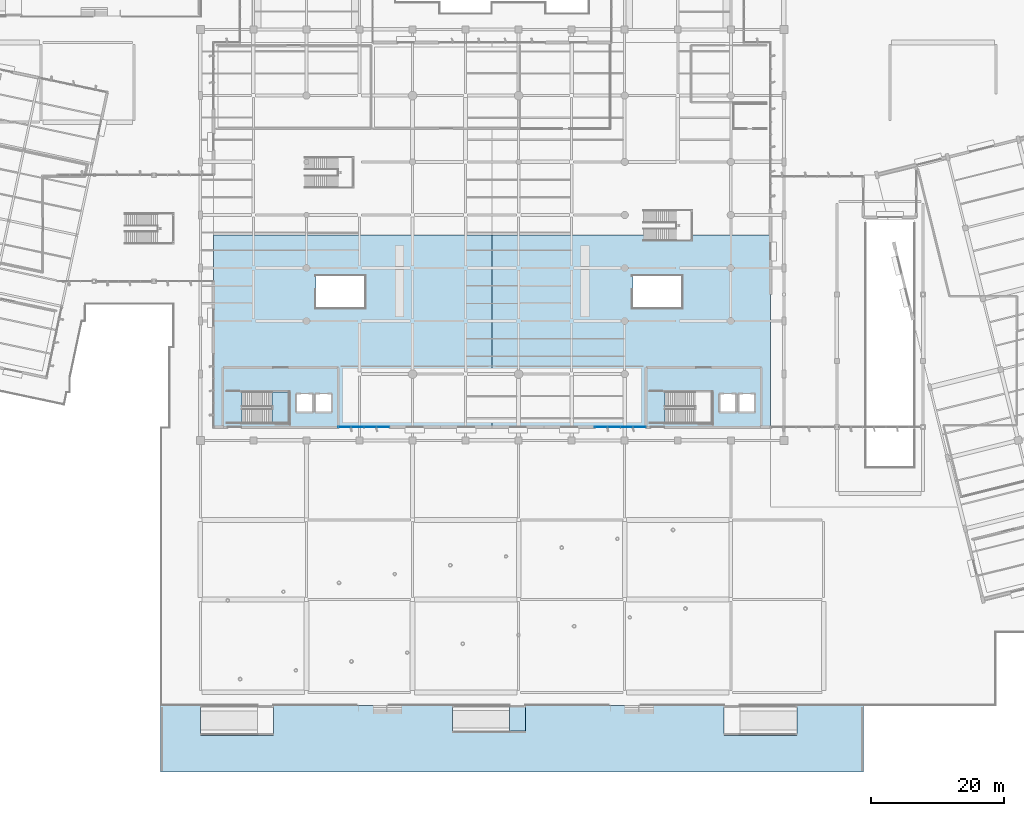
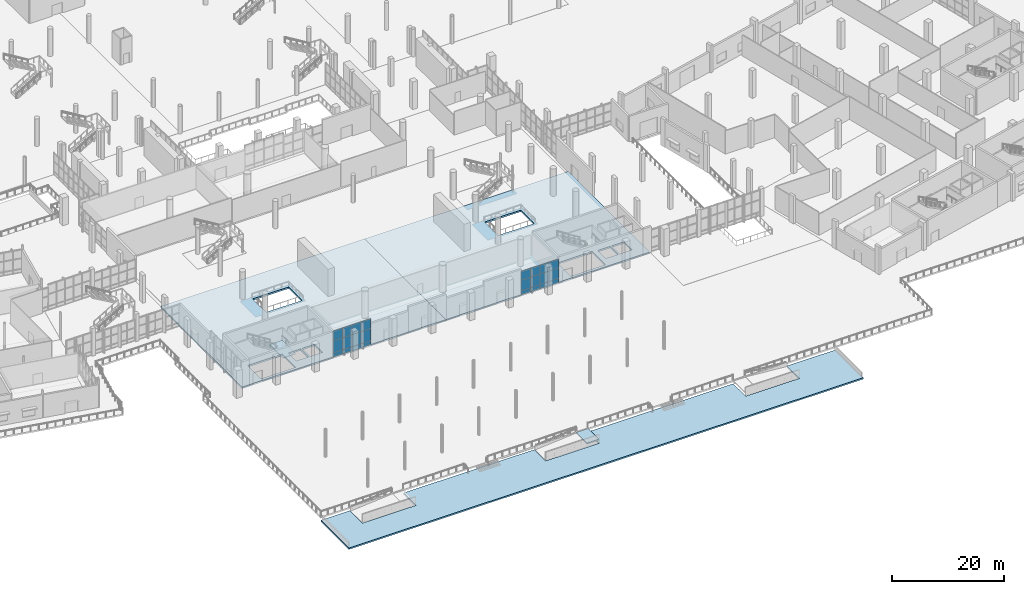
# One storey, part 110 of 163: 24 plates, 5 slabs, 4 elements without a shape of their own.
"""IFC4 building model written with IfcOpenShell, lengths in metres."""

from ifc_helpers import new_model, si_unit, direction, frame, origin, origin_2d, place, context, subcontext, project, spatial, polyline, rectangle, outline, extrude, material, layer, layer_set, type_object, element, aggregate, save


model = new_model("IFC4")

# Units and contexts
model_context = context("Model", 3, precision=1e-05, world=origin(), true_north=direction((0.0, 1.0)))
body_context = subcontext(model_context, "Body", "Model", "MODEL_VIEW")
ifc_project = project(units=[si_unit("LENGTHUNIT", "METRE"), si_unit("AREAUNIT", "SQUARE_METRE"), si_unit("VOLUMEUNIT", "CUBIC_METRE"), si_unit("PLANEANGLEUNIT", "RADIAN"), si_unit("MASSUNIT", "GRAM", prefix="KILO")], contexts=[model_context])

# Site, building, storey
site_placement = place(None, origin())
site = spatial("IfcSite", under=ifc_project, at=site_placement, CompositionType="ELEMENT")
building_placement = place(site_placement, origin())
building = spatial("IfcBuilding", under=site, at=building_placement, Name="Khorjan Park Terminus", CompositionType="ELEMENT")
storey_placement = place(building_placement, origin())
storey = spatial("IfcBuildingStorey", under=building, at=storey_placement, Name="L00", CompositionType="ELEMENT", Elevation=0.0)

# Curtain wall, plates
ifc_material_1 = material(Name="Anodized Bronze Aluminium", Category="aluminium")
ifc_layer_1 = layer(ifc_material_1, 0.22)
ifc_layer_set_1 = layer_set([ifc_layer_1], Name="Anodized Bronze Aluminium")
curtain_wall_type = type_object("IfcCurtainWallType", Name="CW-CONC-A", PredefinedType="NOTDEFINED", material=ifc_layer_set_1)
curtain_wall_1_placement = place(storey_placement, origin())
curtain_wall_1 = element("IfcCurtainWall", 1, at=curtain_wall_1_placement, inside=storey, type_object=curtain_wall_type, Name="Unitized curtain wall CW-A (CW-V2-S-L00-02)", PredefinedType="NOTDEFINED")
ifc_material_2 = material(Name="Triple Low-E High-Selectivity Glazing", Category="glass")
ifc_layer_2 = layer(ifc_material_2, 0.04)
ifc_layer_set_2 = layer_set([ifc_layer_2], Name="Triple Low-E High-Selectivity Glazing")
plate_type_1 = type_object("IfcPlateType", Name="GL-VIS-40", PredefinedType="CURTAIN_PANEL", material=ifc_layer_set_2)
plate_1_placement = place(storey_placement, frame((69.7625, 28.0, 0.85), z_axis=(0.0, 0.0, 1.0), x_axis=(1.0, 0.0, 0.0)))
plate_1 = element("IfcPlate", 2, at=plate_1_placement, type_object=plate_type_1, Name="Curtain-wall panel VP-40 (CW-V2-S-L00-02-0-2)", PredefinedType="CURTAIN_PANEL", context=body_context, shape_type="SweptSolid", body=[
    extrude(rectangle(XDim=1.925, YDim=0.04, at=origin_2d()), origin(), (0.0, 0.0, 1.0), 2.6344),
])
plate_2_placement = place(storey_placement, frame((69.7625, 28.0, 3.4844), z_axis=(0.0, 0.0, 1.0), x_axis=(1.0, 0.0, 0.0)))
plate_2 = element("IfcPlate", 3, at=plate_2_placement, type_object=plate_type_1, Name="Curtain-wall panel VP-40 (CW-V2-S-L00-02-0-3)", PredefinedType="CURTAIN_PANEL", context=body_context, shape_type="SweptSolid", body=[
    extrude(rectangle(XDim=1.925, YDim=0.04, at=origin_2d()), origin(), (0.0, 0.0, 1.0), 2.1456),
])
plate_3_placement = place(storey_placement, frame((71.6875, 28.0, 0.85), z_axis=(0.0, 0.0, 1.0), x_axis=(1.0, 0.0, 0.0)))
plate_3 = element("IfcPlate", 4, at=plate_3_placement, type_object=plate_type_1, Name="Curtain-wall panel VP-40 (CW-V2-S-L00-02-1-2)", PredefinedType="CURTAIN_PANEL", context=body_context, shape_type="SweptSolid", body=[
    extrude(rectangle(XDim=1.925, YDim=0.04, at=origin_2d()), origin(), (0.0, 0.0, 1.0), 2.6344),
])
plate_4_placement = place(storey_placement, frame((71.6875, 28.0, 3.4844), z_axis=(0.0, 0.0, 1.0), x_axis=(1.0, 0.0, 0.0)))
plate_4 = element("IfcPlate", 5, at=plate_4_placement, type_object=plate_type_1, Name="Curtain-wall panel VP-40 (CW-V2-S-L00-02-1-3)", PredefinedType="CURTAIN_PANEL", context=body_context, shape_type="SweptSolid", body=[
    extrude(rectangle(XDim=1.925, YDim=0.04, at=origin_2d()), origin(), (0.0, 0.0, 1.0), 2.1456),
])
plate_5_placement = place(storey_placement, frame((73.6125, 28.0, 0.85), z_axis=(0.0, 0.0, 1.0), x_axis=(1.0, 0.0, 0.0)))
plate_5 = element("IfcPlate", 6, at=plate_5_placement, type_object=plate_type_1, Name="Curtain-wall panel VP-40 (CW-V2-S-L00-02-2-2)", PredefinedType="CURTAIN_PANEL", context=body_context, shape_type="SweptSolid", body=[
    extrude(rectangle(XDim=1.925, YDim=0.04, at=origin_2d()), origin(), (0.0, 0.0, 1.0), 2.6344),
])
plate_6_placement = place(storey_placement, frame((73.6125, 28.0, 3.4844), z_axis=(0.0, 0.0, 1.0), x_axis=(1.0, 0.0, 0.0)))
plate_6 = element("IfcPlate", 7, at=plate_6_placement, type_object=plate_type_1, Name="Curtain-wall panel VP-40 (CW-V2-S-L00-02-2-3)", PredefinedType="CURTAIN_PANEL", context=body_context, shape_type="SweptSolid", body=[
    extrude(rectangle(XDim=1.925, YDim=0.04, at=origin_2d()), origin(), (0.0, 0.0, 1.0), 2.1456),
])
plate_7_placement = place(storey_placement, frame((75.5375, 28.0, 0.85), z_axis=(0.0, 0.0, 1.0), x_axis=(1.0, 0.0, 0.0)))
plate_7 = element("IfcPlate", 8, at=plate_7_placement, type_object=plate_type_1, Name="Curtain-wall panel VP-40 (CW-V2-S-L00-02-3-2)", PredefinedType="CURTAIN_PANEL", context=body_context, shape_type="SweptSolid", body=[
    extrude(rectangle(XDim=1.925, YDim=0.04, at=origin_2d()), origin(), (0.0, 0.0, 1.0), 2.6344),
])
plate_8_placement = place(storey_placement, frame((75.5375, 28.0, 3.4844), z_axis=(0.0, 0.0, 1.0), x_axis=(1.0, 0.0, 0.0)))
plate_8 = element("IfcPlate", 9, at=plate_8_placement, type_object=plate_type_1, Name="Curtain-wall panel VP-40 (CW-V2-S-L00-02-3-3)", PredefinedType="CURTAIN_PANEL", context=body_context, shape_type="SweptSolid", body=[
    extrude(rectangle(XDim=1.925, YDim=0.04, at=origin_2d()), origin(), (0.0, 0.0, 1.0), 2.1456),
])

curtain_wall_2_placement = place(storey_placement, origin())
curtain_wall_2 = element("IfcCurtainWall", 10, at=curtain_wall_2_placement, inside=storey, type_object=curtain_wall_type, Name="Unitized curtain wall CW-A (CW-V2-S-L00-07)", PredefinedType="NOTDEFINED")
plate_9_placement = place(storey_placement, frame((108.4625, 28.0, 0.85), z_axis=(0.0, 0.0, 1.0), x_axis=(1.0, 0.0, 0.0)))
plate_9 = element("IfcPlate", 11, at=plate_9_placement, type_object=plate_type_1, Name="Curtain-wall panel VP-40 (CW-V2-S-L00-07-0-2)", PredefinedType="CURTAIN_PANEL", context=body_context, shape_type="SweptSolid", body=[
    extrude(rectangle(XDim=1.925, YDim=0.04, at=origin_2d()), origin(), (0.0, 0.0, 1.0), 2.2903),
])
plate_10_placement = place(storey_placement, frame((108.4625, 28.0, 3.1402), z_axis=(0.0, 0.0, 1.0), x_axis=(1.0, 0.0, 0.0)))
plate_10 = element("IfcPlate", 12, at=plate_10_placement, type_object=plate_type_1, Name="Curtain-wall panel VP-40 (CW-V2-S-L00-07-0-3)", PredefinedType="CURTAIN_PANEL", context=body_context, shape_type="SweptSolid", body=[
    extrude(rectangle(XDim=1.925, YDim=0.04, at=origin_2d()), origin(), (0.0, 0.0, 1.0), 1.9347),
])
plate_11_placement = place(storey_placement, frame((110.3875, 28.0, 0.85), z_axis=(0.0, 0.0, 1.0), x_axis=(1.0, 0.0, 0.0)))
plate_11 = element("IfcPlate", 13, at=plate_11_placement, type_object=plate_type_1, Name="Curtain-wall panel VP-40 (CW-V2-S-L00-07-1-2)", PredefinedType="CURTAIN_PANEL", context=body_context, shape_type="SweptSolid", body=[
    extrude(rectangle(XDim=1.925, YDim=0.04, at=origin_2d()), origin(), (0.0, 0.0, 1.0), 2.2903),
])
plate_12_placement = place(storey_placement, frame((110.3875, 28.0, 3.1402), z_axis=(0.0, 0.0, 1.0), x_axis=(1.0, 0.0, 0.0)))
plate_12 = element("IfcPlate", 14, at=plate_12_placement, type_object=plate_type_1, Name="Curtain-wall panel VP-40 (CW-V2-S-L00-07-1-3)", PredefinedType="CURTAIN_PANEL", context=body_context, shape_type="SweptSolid", body=[
    extrude(rectangle(XDim=1.925, YDim=0.04, at=origin_2d()), origin(), (0.0, 0.0, 1.0), 1.9347),
])
plate_13_placement = place(storey_placement, frame((112.3125, 28.0, 0.85), z_axis=(0.0, 0.0, 1.0), x_axis=(1.0, 0.0, 0.0)))
plate_13 = element("IfcPlate", 15, at=plate_13_placement, type_object=plate_type_1, Name="Curtain-wall panel VP-40 (CW-V2-S-L00-07-2-2)", PredefinedType="CURTAIN_PANEL", context=body_context, shape_type="SweptSolid", body=[
    extrude(rectangle(XDim=1.925, YDim=0.04, at=origin_2d()), origin(), (0.0, 0.0, 1.0), 2.2903),
])
plate_14_placement = place(storey_placement, frame((112.3125, 28.0, 3.1402), z_axis=(0.0, 0.0, 1.0), x_axis=(1.0, 0.0, 0.0)))
plate_14 = element("IfcPlate", 16, at=plate_14_placement, type_object=plate_type_1, Name="Curtain-wall panel VP-40 (CW-V2-S-L00-07-2-3)", PredefinedType="CURTAIN_PANEL", context=body_context, shape_type="SweptSolid", body=[
    extrude(rectangle(XDim=1.925, YDim=0.04, at=origin_2d()), origin(), (0.0, 0.0, 1.0), 1.9347),
])
plate_15_placement = place(storey_placement, frame((114.2375, 28.0, 0.85), z_axis=(0.0, 0.0, 1.0), x_axis=(1.0, 0.0, 0.0)))
plate_15 = element("IfcPlate", 17, at=plate_15_placement, type_object=plate_type_1, Name="Curtain-wall panel VP-40 (CW-V2-S-L00-07-3-2)", PredefinedType="CURTAIN_PANEL", context=body_context, shape_type="SweptSolid", body=[
    extrude(rectangle(XDim=1.925, YDim=0.04, at=origin_2d()), origin(), (0.0, 0.0, 1.0), 2.2903),
])
plate_16_placement = place(storey_placement, frame((114.2375, 28.0, 3.1402), z_axis=(0.0, 0.0, 1.0), x_axis=(1.0, 0.0, 0.0)))
plate_16 = element("IfcPlate", 18, at=plate_16_placement, type_object=plate_type_1, Name="Curtain-wall panel VP-40 (CW-V2-S-L00-07-3-3)", PredefinedType="CURTAIN_PANEL", context=body_context, shape_type="SweptSolid", body=[
    extrude(rectangle(XDim=1.925, YDim=0.04, at=origin_2d()), origin(), (0.0, 0.0, 1.0), 1.9347),
])

# Slabs
ifc_material_3 = material(Name="Concrete C40/50", Category="concrete")
ifc_layer_3 = layer(ifc_material_3, 0.35)
ifc_layer_set_3 = layer_set([ifc_layer_3], Name="Concrete C40/50")
slab_type_1 = type_object("IfcSlabType", Name="SL-FLR-350", PredefinedType="FLOOR", material=ifc_layer_set_3)
slab_1_placement = place(storey_placement, frame((0.0, 0.0, -0.35)))
element("IfcSlab", 19, at=slab_1_placement, inside=storey, type_object=slab_type_1, Name="Structural floor slab FS-35 (L00-V2-SE)", PredefinedType="FLOOR", context=body_context, shape_type="SweptSolid", body=[
    extrude(outline(polyline([(92.0, 57.0), (134.0, 57.0), (134.0, 28.0), (92.0, 28.0), (92.0, 57.0)]), holes=[polyline([(125.2, 28.55), (125.2, 33.31), (118.075, 33.31), (118.075, 28.55), (125.2, 28.55)]), polyline([(128.79, 30.21), (128.79, 33.05), (126.25, 33.05), (126.25, 30.21), (128.79, 30.21)]), polyline([(131.65, 30.21), (131.65, 33.05), (129.11, 33.05), (129.11, 30.21), (131.65, 30.21)]), polyline([(120.6, 50.8), (113.215, 50.8), (113.215, 46.0), (120.6, 46.0), (120.6, 50.8)])]), origin(), (0.0, 0.0, 1.0), 0.35),
])
ifc_layer_4 = layer(ifc_material_3, 0.36)
ifc_layer_set_4 = layer_set([ifc_layer_4], Name="Concrete C40/50")
slab_type_2 = type_object("IfcSlabType", Name="SL-FLR-360", PredefinedType="FLOOR", material=ifc_layer_set_4)
slab_2_placement = place(storey_placement, frame((0.0, 0.0, -0.36)))
element("IfcSlab", 20, at=slab_2_placement, inside=storey, type_object=slab_type_2, Name="Structural floor slab FS-36 (L00-V2-SW)", PredefinedType="FLOOR", context=body_context, shape_type="SweptSolid", body=[
    extrude(outline(polyline([(50.0, 57.0), (92.0, 57.0), (92.0, 28.0), (50.0, 28.0), (50.0, 57.0)]), holes=[polyline([(61.4, 28.55), (61.4, 33.31), (54.275, 33.31), (54.275, 28.55), (61.4, 28.55)]), polyline([(64.99, 30.21), (64.99, 33.05), (62.45, 33.05), (62.45, 30.21), (64.99, 30.21)]), polyline([(67.85, 30.21), (67.85, 33.05), (65.31, 33.05), (65.31, 30.21), (67.85, 30.21)]), polyline([(72.8, 50.8), (65.415, 50.8), (65.415, 46.0), (72.8, 46.0), (72.8, 50.8)])]), origin(), (0.0, 0.0, 1.0), 0.36),
])

# Stair, slab
stair_type = type_object("IfcStairType", Name="STR-CORE-220", PredefinedType="HALF_TURN_STAIR", material=ifc_material_3)
stair_placement = place(storey_placement, origin())
stair = element("IfcStair", 21, at=stair_placement, inside=storey, type_object=stair_type, Name="L00 West Concourse Core exit stair ST-01", PredefinedType="HALF_TURN_STAIR")
ifc_layer_5 = layer(ifc_material_3, 0.2)
ifc_layer_set_5 = layer_set([ifc_layer_5], Name="Concrete C40/50")
slab_type_3 = type_object("IfcSlabType", Name="SL-LND-200", PredefinedType="LANDING", material=ifc_layer_set_5)
slab_3_placement = place(storey_placement, frame((0.0, 0.0, 2.8)))
slab_3 = element("IfcSlab", 22, at=slab_3_placement, type_object=slab_type_3, Name="ST-01 landing 1", PredefinedType="LANDING", context=body_context, shape_type="SweptSolid", body=[
    extrude(outline(polyline([(58.805, 28.55), (61.4, 28.55), (61.4, 33.31), (58.805, 33.31), (58.805, 28.55)])), origin(), (0.0, 0.0, 1.0), 0.2),
])
aggregate(stair, [slab_3])

# Ramp, slab
ramp_type = type_object("IfcRampType", Name="RMP-ACC-360", PredefinedType="STRAIGHT_RUN_RAMP", material=ifc_material_3)
ramp_placement = place(storey_placement, origin())
ramp = element("IfcRamp", 23, at=ramp_placement, inside=storey, type_object=ramp_type, Name="Accessible 1:12 site-grade approach ramp AR-02", PredefinedType="STRAIGHT_RUN_RAMP")
ifc_layer_6 = layer(ifc_material_3, 0.29)
ifc_layer_set_6 = layer_set([ifc_layer_6], Name="Concrete C40/50")
slab_type_4 = type_object("IfcSlabType", Name="SL-LND-290", PredefinedType="LANDING", material=ifc_layer_set_6)
slab_4_placement = place(storey_placement, frame((0.0, 0.0, -0.29)))
slab_4 = element("IfcSlab", 24, at=slab_4_placement, type_object=slab_type_4, Name="Accessible ramp top arrival landing (GRMP-S-M)", PredefinedType="LANDING", context=body_context, shape_type="SweptSolid", body=[
    extrude(outline(polyline([(94.625, -17.84), (97.04, -17.84), (97.04, -13.98), (94.625, -13.98), (94.625, -17.84)])), origin(), (0.0, 0.0, 1.0), 0.29),
])
aggregate(ramp, [slab_4])

# Slab
ifc_layer_7 = layer(ifc_material_3, 0.32)
ifc_layer_set_7 = layer_set([ifc_layer_7], Name="Concrete C40/50")
slab_type_5 = type_object("IfcSlabType", Name="SL-TER-320", PredefinedType="ROOF", material=ifc_layer_set_7)
slab_5_placement = place(storey_placement, frame((0.0, 0.0, -1.04)))
element("IfcSlab", 25, at=slab_5_placement, inside=storey, type_object=slab_type_5, Name="External terrace slab TS-32 (GRD-APR-SOUTH)", PredefinedType="ROOF", context=body_context, shape_type="SweptSolid", body=[
    extrude(outline(polyline([(148.0, -14.02), (148.0, -24.0), (42.0, -24.0), (42.0, -14.02), (48.0, -14.02), (48.0, -18.48), (59.06, -18.48), (59.06, -14.02), (86.0, -14.02), (86.0, -18.08), (97.06, -18.08), (97.06, -14.02), (126.94, -14.02), (126.94, -18.48), (138.0, -18.48), (138.0, -14.02), (148.0, -14.02)])), origin(), (0.0, 0.0, 1.0), 0.32),
])

# Plate
ifc_material_4 = material(Name="Insulated Anodized Bronze Spandrel Panel")
ifc_layer_8 = layer(ifc_material_4, 0.045)
ifc_layer_set_8 = layer_set([ifc_layer_8], Name="Insulated Anodized Bronze Spandrel Panel")
plate_type_2 = type_object("IfcPlateType", Name="SP-AL-45", PredefinedType="CURTAIN_PANEL", material=ifc_layer_set_8)
plate_17_placement = place(storey_placement, frame((69.7625, 28.0, -0.01), z_axis=(0.0, 0.0, 1.0), x_axis=(1.0, 0.0, 0.0)))
plate_17 = element("IfcPlate", 26, at=plate_17_placement, type_object=plate_type_2, Name="Curtain-wall panel SP-A45 (CW-V2-S-L00-02-0-1)", PredefinedType="CURTAIN_PANEL", context=body_context, shape_type="SweptSolid", body=[
    extrude(rectangle(XDim=1.925, YDim=0.045, at=origin_2d()), origin(), (0.0, 0.0, 1.0), 0.86),
])

plate_18_placement = place(storey_placement, frame((71.6875, 28.0, -0.01), z_axis=(0.0, 0.0, 1.0), x_axis=(1.0, 0.0, 0.0)))
plate_18 = element("IfcPlate", 27, at=plate_18_placement, type_object=plate_type_2, Name="Curtain-wall panel SP-A45 (CW-V2-S-L00-02-1-1)", PredefinedType="CURTAIN_PANEL", context=body_context, shape_type="SweptSolid", body=[
    extrude(rectangle(XDim=1.925, YDim=0.045, at=origin_2d()), origin(), (0.0, 0.0, 1.0), 0.86),
])

plate_19_placement = place(storey_placement, frame((73.6125, 28.0, -0.01), z_axis=(0.0, 0.0, 1.0), x_axis=(1.0, 0.0, 0.0)))
plate_19 = element("IfcPlate", 28, at=plate_19_placement, type_object=plate_type_2, Name="Curtain-wall panel SP-A45 (CW-V2-S-L00-02-2-1)", PredefinedType="CURTAIN_PANEL", context=body_context, shape_type="SweptSolid", body=[
    extrude(rectangle(XDim=1.925, YDim=0.045, at=origin_2d()), origin(), (0.0, 0.0, 1.0), 0.86),
])

plate_20_placement = place(storey_placement, frame((75.5375, 28.0, -0.01), z_axis=(0.0, 0.0, 1.0), x_axis=(1.0, 0.0, 0.0)))
plate_20 = element("IfcPlate", 29, at=plate_20_placement, type_object=plate_type_2, Name="Curtain-wall panel SP-A45 (CW-V2-S-L00-02-3-1)", PredefinedType="CURTAIN_PANEL", context=body_context, shape_type="SweptSolid", body=[
    extrude(rectangle(XDim=1.925, YDim=0.045, at=origin_2d()), origin(), (0.0, 0.0, 1.0), 0.86),
])

aggregate(curtain_wall_1, [plate_17, plate_1, plate_2, plate_18, plate_3, plate_4, plate_19, plate_5, plate_6, plate_20, plate_7, plate_8])

plate_21_placement = place(storey_placement, frame((108.4625, 28.0, -0.01), z_axis=(0.0, 0.0, 1.0), x_axis=(1.0, 0.0, 0.0)))
plate_21 = element("IfcPlate", 30, at=plate_21_placement, type_object=plate_type_2, Name="Curtain-wall panel SP-A45 (CW-V2-S-L00-07-0-1)", PredefinedType="CURTAIN_PANEL", context=body_context, shape_type="SweptSolid", body=[
    extrude(rectangle(XDim=1.925, YDim=0.045, at=origin_2d()), origin(), (0.0, 0.0, 1.0), 0.86),
])

plate_22_placement = place(storey_placement, frame((110.3875, 28.0, -0.01), z_axis=(0.0, 0.0, 1.0), x_axis=(1.0, 0.0, 0.0)))
plate_22 = element("IfcPlate", 31, at=plate_22_placement, type_object=plate_type_2, Name="Curtain-wall panel SP-A45 (CW-V2-S-L00-07-1-1)", PredefinedType="CURTAIN_PANEL", context=body_context, shape_type="SweptSolid", body=[
    extrude(rectangle(XDim=1.925, YDim=0.045, at=origin_2d()), origin(), (0.0, 0.0, 1.0), 0.86),
])

plate_23_placement = place(storey_placement, frame((112.3125, 28.0, -0.01), z_axis=(0.0, 0.0, 1.0), x_axis=(1.0, 0.0, 0.0)))
plate_23 = element("IfcPlate", 32, at=plate_23_placement, type_object=plate_type_2, Name="Curtain-wall panel SP-A45 (CW-V2-S-L00-07-2-1)", PredefinedType="CURTAIN_PANEL", context=body_context, shape_type="SweptSolid", body=[
    extrude(rectangle(XDim=1.925, YDim=0.045, at=origin_2d()), origin(), (0.0, 0.0, 1.0), 0.86),
])

plate_24_placement = place(storey_placement, frame((114.2375, 28.0, -0.01), z_axis=(0.0, 0.0, 1.0), x_axis=(1.0, 0.0, 0.0)))
plate_24 = element("IfcPlate", 33, at=plate_24_placement, type_object=plate_type_2, Name="Curtain-wall panel SP-A45 (CW-V2-S-L00-07-3-1)", PredefinedType="CURTAIN_PANEL", context=body_context, shape_type="SweptSolid", body=[
    extrude(rectangle(XDim=1.925, YDim=0.045, at=origin_2d()), origin(), (0.0, 0.0, 1.0), 0.86),
])

aggregate(curtain_wall_2, [plate_21, plate_9, plate_10, plate_22, plate_11, plate_12, plate_23, plate_13, plate_14, plate_24, plate_15, plate_16])

save(model, "model.ifc")
